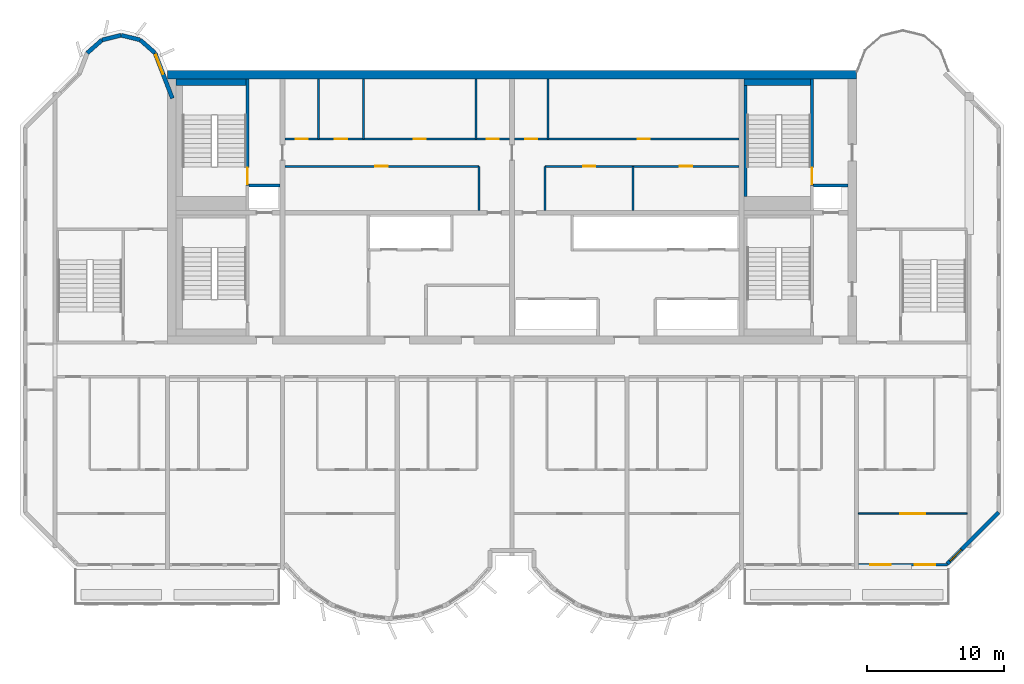
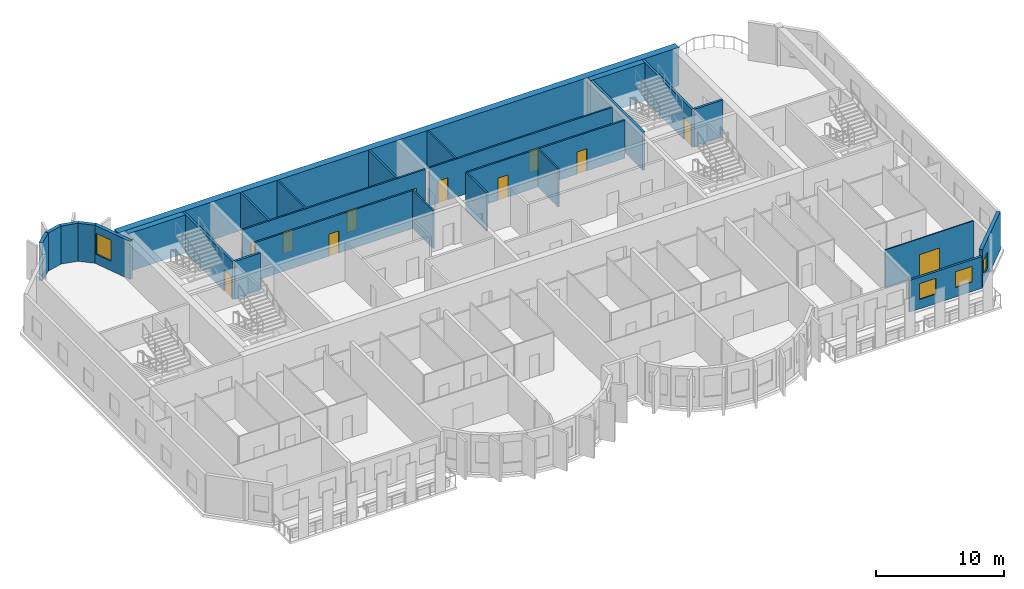
# One storey, part 7 of 12: 27 walls, 12 doors, 4 windows, 16 openings.
"""IFC4 building model written with IfcOpenShell, lengths in metres."""

import ifcopenshell
import ifcopenshell.guid

model = None  # the IFC model being written
_history = None  # IfcOwnerHistory: only IFC2X3 demands one
_inside = {}  # id of a spatial element -> (the spatial element, [elements in it])
_under = {}  # id of a project, library or spatial element -> (it, [spatial elements below it])
_declared = {}  # id of a project -> (the project, [libraries it declares])
_typed = {}  # id of a type object -> (the type object, [elements of that type])
_made_of = {}  # id of a material, layer set ... -> (it, [elements and type objects made of it])


def new_model(schema):
    """Start an empty IFC model of exactly this schema.

    Asked for "IFC4X3", IfcOpenShell would pick the latest addendum, in which some entities
    have other attributes; the version numbers below select the first issue.
    IFC2X3 requires an IfcOwnerHistory on every rooted entity: one is made here for all.
    """
    global model, _history
    if schema == "IFC4X3":
        model = ifcopenshell.file(schema_version=(4, 3, 0, 0))
    else:
        model = ifcopenshell.file(schema=schema)
    _inside.clear()
    _under.clear()
    _declared.clear()
    _typed.clear()
    _made_of.clear()
    _history = None
    if model.schema == "IFC2X3":
        org = make("IfcOrganization", Name="unknown")
        user = make(
            "IfcPersonAndOrganization",
            ThePerson=make("IfcPerson", FamilyName="unknown"),
            TheOrganization=org,
        )
        app = make(
            "IfcApplication",
            ApplicationDeveloper=org,
            Version="unknown",
            ApplicationFullName="unknown",
            ApplicationIdentifier="unknown",
        )
        _history = make(
            "IfcOwnerHistory",
            OwningUser=user,
            OwningApplication=app,
            ChangeAction="ADDED",
            CreationDate=0,
        )
    return model


def make(cls, **values):
    """One entity of the class cls with the attributes given. An attribute that is None is left unset."""
    return model.create_entity(
        cls, **{name: value for name, value in values.items() if value is not None}
    )


def rooted(cls, **values):
    """An entity with a GlobalId (a new one), such as an element, a storey or a relation."""
    return make(cls, GlobalId=ifcopenshell.guid.new(), OwnerHistory=_history, **values)


def si_unit(unit_type, name, prefix=None):
    """IfcSIUnit, for example si_unit("LENGTHUNIT", "METRE", prefix="MILLI")."""
    return make("IfcSIUnit", UnitType=unit_type, Prefix=prefix, Name=name)


def assignment(units):
    """IfcUnitAssignment: the units of a project."""
    return None if units is None else make("IfcUnitAssignment", Units=units)


def point(xyz):
    """IfcCartesianPoint."""
    return None if xyz is None else make("IfcCartesianPoint", Coordinates=xyz)


def direction(xyz):
    """IfcDirection."""
    return None if xyz is None else make("IfcDirection", DirectionRatios=xyz)


def frame(location, z_axis=None, x_axis=None):
    """IfcAxis2Placement3D, a coordinate frame: its origin and axes. An axis left out is left unset."""
    return make(
        "IfcAxis2Placement3D",
        Location=point(location),
        Axis=direction(z_axis),
        RefDirection=direction(x_axis),
    )


def frame_2d(location, x_axis=None):
    """IfcAxis2Placement2D, a coordinate frame in the plane: its origin and x axis."""
    return make(
        "IfcAxis2Placement2D", Location=point(location), RefDirection=direction(x_axis)
    )


def origin():
    """The frame at (0, 0, 0) with its axes left unset."""
    return frame((0.0, 0.0, 0.0))


def place(relative_to, where):
    """IfcLocalPlacement: puts the frame where relative to a parent placement (None: the world)."""
    return make(
        "IfcLocalPlacement", PlacementRelTo=relative_to, RelativePlacement=where
    )


def context(
    kind, dimensions, precision=None, world=None, true_north=None, identifier=None
):
    """IfcGeometricRepresentationContext, for example the 3D "Model" context."""
    return make(
        "IfcGeometricRepresentationContext",
        ContextIdentifier=identifier,
        ContextType=kind,
        CoordinateSpaceDimension=dimensions,
        Precision=precision,
        WorldCoordinateSystem=world,
        TrueNorth=true_north,
    )


def subcontext(parent, identifier, kind, view, scale=None):
    """IfcGeometricRepresentationSubContext, for example "Body" below "Model"."""
    return make(
        "IfcGeometricRepresentationSubContext",
        ContextIdentifier=identifier,
        ContextType=kind,
        ParentContext=parent,
        TargetScale=scale,
        TargetView=view,
    )


def project(units=None, contexts=None):
    """IfcProject with its units and contexts."""
    return rooted(
        "IfcProject",
        Name="project",
        RepresentationContexts=contexts,
        UnitsInContext=assignment(units),
    )


def spatial(cls, under=None, at=None, **own):
    """A site, building, storey or space (cls), placed at a placement, below another one or the project."""
    s = rooted(cls, ObjectPlacement=at, **own)
    if under is not None:
        _under.setdefault(under.id(), (under, []))[1].append(s)
    return s


def profile(cls, at=None, kind="AREA", **sizes):
    """A parametric profile (cls). Its sizes go by their IFC names, for example OverallWidth=200.0."""
    return make(cls, ProfileType=kind, Position=at, **sizes)


def rectangle(**sizes):
    """IfcRectangleProfileDef."""
    return profile("IfcRectangleProfileDef", **sizes)


def extrude(swept, where, along, depth):
    """IfcExtrudedAreaSolid: the profile swept, set in the frame where, extruded along a direction by depth."""
    return make(
        "IfcExtrudedAreaSolid",
        SweptArea=swept,
        Position=where,
        ExtrudedDirection=direction(along),
        Depth=depth,
    )


def shape(context_of_items, identifier, shape_type, items):
    """IfcShapeRepresentation: the items that make up one representation, for example the "Body"."""
    return make(
        "IfcShapeRepresentation",
        ContextOfItems=context_of_items,
        RepresentationIdentifier=identifier,
        RepresentationType=shape_type,
        Items=items,
    )


def source(mapping_origin, context_of_items, identifier, shape_type, items):
    """IfcRepresentationMap: a shape defined once, which mapped items show again and again."""
    return make(
        "IfcRepresentationMap",
        MappingOrigin=mapping_origin,
        MappedRepresentation=shape(context_of_items, identifier, shape_type, items),
    )


def transform(
    local_origin,
    x_axis=None,
    y_axis=None,
    z_axis=None,
    scale=None,
    scale2=None,
    scale3=None,
    uniform=True,
):
    """IfcCartesianTransformationOperator3D, or its non-uniform kind. x_axis, y_axis, z_axis: its Axis1, 2, 3."""
    if uniform:
        return make(
            "IfcCartesianTransformationOperator3D",
            Axis1=direction(x_axis),
            Axis2=direction(y_axis),
            LocalOrigin=point(local_origin),
            Scale=scale,
            Axis3=direction(z_axis),
        )
    return make(
        "IfcCartesianTransformationOperator3DnonUniform",
        Axis1=direction(x_axis),
        Axis2=direction(y_axis),
        LocalOrigin=point(local_origin),
        Scale=scale,
        Axis3=direction(z_axis),
        Scale2=scale2,
        Scale3=scale3,
    )


def mapped(mapping_source, mapping_target):
    """IfcMappedItem: shows the shape of a source again, moved by a transform."""
    return make(
        "IfcMappedItem", MappingSource=mapping_source, MappingTarget=mapping_target
    )


def material(Name=None, Category=None):
    """IfcMaterial."""
    return make("IfcMaterial", Name=Name, Category=Category)


def layer(
    of_material, thickness, ventilated=None, Name=None, Category=None, Priority=None
):
    """IfcMaterialLayer: one layer of a wall or slab, of a material (None: an air gap)."""
    return make(
        "IfcMaterialLayer",
        Material=of_material,
        LayerThickness=thickness,
        IsVentilated=ventilated,
        Name=Name,
        Category=Category,
        Priority=Priority,
    )


def layer_set(layers, Name=None):
    """IfcMaterialLayerSet."""
    return make("IfcMaterialLayerSet", MaterialLayers=layers, LayerSetName=Name)


def made_of(thing, what):
    """Note that an element or type object is made of a material, layer set ...; save() writes the relation."""
    if what is not None:
        _made_of.setdefault(what.id(), (what, []))[1].append(thing)
    return thing


def type_object(cls, material=None, **own):
    """A type object (cls), such as IfcWallType, which elements share."""
    return made_of(rooted(cls, **own), material)


def element(
    cls,
    number,
    at=None,
    inside=None,
    cuts=None,
    type_object=None,
    material=None,
    context=None,
    identifier="Body",
    shape_type=None,
    held_by="IfcProductDefinitionShape",
    body=None,
    shapes=None,
    **own,
):
    """One element of the class cls, such as IfcWall. Its Tag is "e" and its number.

    at: its placement. inside: the storey or other place that contains it. cuts: it is an
    opening in that element (IfcRelVoidsElement). A single representation is given by context,
    identifier, shape_type and body (its items); several are given by shapes. held_by: the class
    of the entity that holds the representations. save() writes the other relations.
    """
    e = rooted(cls, Tag="e%d" % number, ObjectPlacement=at, **own)
    if body is not None:
        shapes = [shape(context, identifier, shape_type, body)]
    if shapes is not None:
        e.Representation = make(held_by, Representations=shapes)
    if inside is not None:
        _inside.setdefault(inside.id(), (inside, []))[1].append(e)
    if cuts is not None:
        rooted(
            "IfcRelVoidsElement", RelatingBuildingElement=cuts, RelatedOpeningElement=e
        )
    if type_object is not None:
        _typed.setdefault(type_object.id(), (type_object, []))[1].append(e)
    return made_of(e, material)


def fill(opening, filler):
    """IfcRelFillsElement: the door or window that sits in an opening."""
    return rooted(
        "IfcRelFillsElement",
        RelatingOpeningElement=opening,
        RelatedBuildingElement=filler,
    )


def aggregate(whole, parts):
    """IfcRelAggregates: a whole, such as a stair, and the parts it consists of."""
    return rooted("IfcRelAggregates", RelatingObject=whole, RelatedObjects=parts)


def save(model, path):
    """Write the relations noted so far, then the file.

    IfcRelAggregates (storeys below a building ...), IfcRelContainedInSpatialStructure (elements
    in a storey), IfcRelDefinesByType, IfcRelAssociatesMaterial and IfcRelDeclares: one each for
    every whole, place, type object, material and project.
    """
    for whole, parts in _under.values():
        aggregate(whole, parts)
    for where, things in _inside.values():
        rooted(
            "IfcRelContainedInSpatialStructure",
            RelatedElements=things,
            RelatingStructure=where,
        )
    for kind, things in _typed.values():
        rooted("IfcRelDefinesByType", RelatedObjects=things, RelatingType=kind)
    for what, things in _made_of.values():
        rooted("IfcRelAssociatesMaterial", RelatedObjects=things, RelatingMaterial=what)
    for by, libraries in _declared.values():
        rooted("IfcRelDeclares", RelatingContext=by, RelatedDefinitions=libraries)
    model.write(path)


model = new_model("IFC4")

# Units and contexts
model_context = context("Model", 3, precision=1e-05, world=origin(), true_north=direction((0.0, 1.0)))
body_context = subcontext(model_context, "Body", "Model", "MODEL_VIEW")
ifc_project = project(units=[si_unit("LENGTHUNIT", "METRE"), si_unit("AREAUNIT", "SQUARE_METRE"), si_unit("VOLUMEUNIT", "CUBIC_METRE"), si_unit("PLANEANGLEUNIT", "RADIAN"), si_unit("MASSUNIT", "GRAM", prefix="KILO")], contexts=[model_context])

# Site, building, storey
site_placement = place(None, origin())
site = spatial("IfcSite", under=ifc_project, at=site_placement, CompositionType="ELEMENT")
building_placement = place(site_placement, origin())
building = spatial("IfcBuilding", under=site, at=building_placement, Name="Vanashikhar Sky Hotel", CompositionType="ELEMENT")
storey_placement = place(building_placement, frame((0.0, 0.0, 253.0)))
storey = spatial("IfcBuildingStorey", under=building, at=storey_placement, Name="L61", CompositionType="ELEMENT", Elevation=253.0)

# Wall
ifc_material_1 = material(Name="Concrete M60", Category="concrete")
ifc_layer_1 = layer(ifc_material_1, 0.60009765625)
ifc_layer_set_1 = layer_set([ifc_layer_1], Name="RC core shell wall 600 Concrete M60")
wall_type_1 = type_object("IfcWallType", Name="RC core shell wall 600 Concrete M60", PredefinedType="SHEAR", material=ifc_layer_set_1)
shared_shape_1 = source(origin(), body_context, "Body", "SweptSolid", [
    extrude(rectangle(XDim=50.400146484375, YDim=0.60009765625, at=frame_2d((25.2001953125, 0.0))), origin(), (0.0, 0.0, 1.0), 3.6201171875),
])
wall_1_placement = place(storey_placement, frame((25.199951171875, 41.699951171875, 0.0), z_axis=(0.0, 0.0, 1.0), x_axis=(1.0, 0.0, 0.0)))
element("IfcWall", 1, at=wall_1_placement, inside=storey, type_object=wall_type_1, Name="KW-L61-KN", PredefinedType="SHEAR", context=body_context, shape_type="MappedRepresentation", body=[
    mapped(shared_shape_1, transform((0.0, 0.0, 0.0), scale=1.0)),
])

# Wall, openings, windows
ifc_material_2 = material(Name="Concrete M50", Category="concrete")
ifc_layer_2 = layer(ifc_material_2, 0.199951171875)
ifc_layer_set_2 = layer_set([ifc_layer_2], Name="Front window wall 200")
wall_type_2 = type_object("IfcWallType", Name="Front window wall 200", PredefinedType="SOLIDWALL", material=ifc_layer_set_2)
shared_shape_2 = source(origin(), body_context, "Body", "SweptSolid", [
    extrude(rectangle(XDim=6.5048828125, YDim=0.199951171875, at=frame_2d((3.25244140625, 0.0))), origin(), (0.0, 0.0, 1.0), 3.02001953125),
])
wall_2_placement = place(storey_placement, frame((75.75, 5.85009765625, 0.0), z_axis=(0.0, 0.0, 1.0), x_axis=(1.0, 0.0, 0.0)))
wall_2 = element("IfcWall", 2, at=wall_2_placement, inside=storey, type_object=wall_type_2, Name="Front window wall", PredefinedType="SOLIDWALL", context=body_context, shape_type="MappedRepresentation", body=[
    mapped(shared_shape_2, transform((0.0, 0.0, 0.0), scale=1.0)),
])
shared_shape_3 = source(origin(), body_context, "Body", "SweptSolid", [
    extrude(rectangle(XDim=1.5, YDim=1.5, at=frame_2d((0.75, 0.75))), frame((0.0, 0.10986328125, 0.0), z_axis=(0.0, -1.0, 0.0), x_axis=(1.0, 0.0, 0.0)), (0.0, 0.0, 1.0), 0.219970703125),
])
opening_1_placement = place(wall_2_placement, frame((0.876220703125, 0.0, 0.89990234375)))
opening_1 = element("IfcOpeningElement", 3, at=opening_1_placement, cuts=wall_2, Name="Opening WN-1", PredefinedType="OPENING", context=body_context, shape_type="MappedRepresentation", body=[
    mapped(shared_shape_3, transform((0.0, 0.0, 0.0), scale=1.0)),
])
opening_2_placement = place(wall_2_placement, frame((4.128662109375, 0.0, 0.89990234375)))
opening_2 = element("IfcOpeningElement", 4, at=opening_2_placement, cuts=wall_2, Name="Opening WN-1", PredefinedType="OPENING", context=body_context, shape_type="MappedRepresentation", body=[
    mapped(shared_shape_3, transform((0.0, 0.0, 0.0), scale=1.0)),
])
ifc_material_3 = material(Name="Glass", Category="glass")
window_type_1 = type_object("IfcWindowType", Name="Window 1500 x 1500", PartitioningType="SINGLE_PANEL", PredefinedType="WINDOW", material=ifc_material_3)
shared_shape_4 = source(origin(), body_context, "Body", "SweptSolid", [
    extrude(rectangle(XDim=1.5, YDim=1.5, at=frame_2d((0.75, 0.75))), frame((0.0, 0.030029296875, 0.0), z_axis=(0.0, -1.0, 0.0), x_axis=(1.0, 0.0, 0.0)), (0.0, 0.0, 1.0), 0.06005859375),
])
window_1_placement = place(opening_1_placement, origin())
window_1 = element("IfcWindow", 5, at=window_1_placement, inside=storey, type_object=window_type_1, Name="Window WN-1", OverallHeight=1.5, OverallWidth=1.5, PartitioningType="SINGLE_PANEL", PredefinedType="WINDOW", context=body_context, shape_type="MappedRepresentation", body=[
    mapped(shared_shape_4, transform((0.0, 0.0, 0.0), scale=1.0)),
])
fill(opening_1, window_1)
window_2_placement = place(opening_2_placement, origin())
window_2 = element("IfcWindow", 6, at=window_2_placement, inside=storey, type_object=window_type_1, Name="Window WN-1", OverallHeight=1.5, OverallWidth=1.5, PartitioningType="SINGLE_PANEL", PredefinedType="WINDOW", context=body_context, shape_type="MappedRepresentation", body=[
    mapped(shared_shape_4, transform((0.0, 0.0, 0.0), scale=1.0)),
])
fill(opening_2, window_2)

# Wall, opening, window
ifc_layer_3 = layer(ifc_material_2, 0.300048828125)
ifc_layer_set_3 = layer_set([ifc_layer_3], Name="Lobe wall 300")
wall_type_3 = type_object("IfcWallType", Name="Lobe wall 300", PredefinedType="SOLIDWALL", material=ifc_layer_set_3)
shared_shape_5 = source(origin(), body_context, "Body", "SweptSolid", [
    extrude(rectangle(XDim=5.32568359375, YDim=0.300048828125, at=frame_2d((2.662841796875, 0.0))), origin(), (0.0, 0.0, 1.0), 3.6201171875),
])
wall_3_placement = place(storey_placement, frame((82.234375, 5.89990234375, 0.0), z_axis=(0.0, 0.0, 1.0), x_axis=(0.707083859269, 0.707129702361, 0.0)))
wall_3 = element("IfcWall", 7, at=wall_3_placement, inside=storey, type_object=wall_type_3, Name="Corner wall", PredefinedType="SOLIDWALL", context=body_context, shape_type="MappedRepresentation", body=[
    mapped(shared_shape_5, transform((0.0, 0.0, 0.0), scale=1.0)),
])
shared_shape_6 = source(origin(), body_context, "Body", "SweptSolid", [
    extrude(rectangle(XDim=1.199951171875, YDim=1.5, at=frame_2d((0.60009765625, 0.75))), frame((0.0, 0.16015625, 0.0), z_axis=(0.0, -1.0, 0.0), x_axis=(1.0, 0.0, 0.0)), (0.0, 0.0, 1.0), 0.320068359375),
])
opening_3_placement = place(wall_3_placement, frame((0.29248046875, 0.0, 0.89990234375)))
opening_3 = element("IfcOpeningElement", 8, at=opening_3_placement, cuts=wall_3, Name="Opening WN-3", PredefinedType="OPENING", context=body_context, shape_type="MappedRepresentation", body=[
    mapped(shared_shape_6, transform((0.0, 0.0, 0.0), scale=1.0)),
])
window_type_2 = type_object("IfcWindowType", Name="Corridor end window 1200 x 1500", PartitioningType="SINGLE_PANEL", PredefinedType="WINDOW", material=ifc_material_3)
shared_shape_7 = source(origin(), body_context, "Body", "SweptSolid", [
    extrude(rectangle(XDim=1.199951171875, YDim=1.5, at=frame_2d((0.60009765625, 0.75))), frame((0.0, 0.030029296875, 0.0), z_axis=(0.0, -1.0, 0.0), x_axis=(1.0, 0.0, 0.0)), (0.0, 0.0, 1.0), 0.06005859375),
])
window_3_placement = place(opening_3_placement, origin())
window_3 = element("IfcWindow", 9, at=window_3_placement, inside=storey, type_object=window_type_2, Name="Window WN-3", OverallHeight=1.5, OverallWidth=1.199951171875, PartitioningType="SINGLE_PANEL", PredefinedType="WINDOW", context=body_context, shape_type="MappedRepresentation", body=[
    mapped(shared_shape_7, transform((0.0, 0.0, 0.0), scale=1.0)),
])
fill(opening_3, window_3)

# Walls
shared_shape_8 = source(origin(), body_context, "Body", "SweptSolid", [
    extrude(rectangle(XDim=1.43994140625, YDim=0.300048828125, at=frame_2d((0.719970703125, 0.0))), origin(), (0.0, 0.0, 1.0), 3.6201171875),
])
wall_4_placement = place(storey_placement, frame((20.40283203125, 44.2451171875, 0.0), z_axis=(0.0, 0.0, 1.0), x_axis=(-0.74957555648, -0.661918790432, 0.0)))
element("IfcWall", 10, at=wall_4_placement, inside=storey, type_object=wall_type_3, Name="Lobe wall", PredefinedType="SOLIDWALL", context=body_context, shape_type="MappedRepresentation", body=[
    mapped(shared_shape_8, transform((0.0, 0.0, 0.0), scale=1.0)),
])
shared_shape_9 = source(origin(), body_context, "Body", "SweptSolid", [
    extrude(rectangle(XDim=1.438720703125, YDim=0.300048828125, at=frame_2d((0.71923828125, 0.0))), origin(), (0.0, 0.0, 1.0), 3.6201171875),
])
wall_5_placement = place(storey_placement, frame((21.800048828125, 44.588134765625, 0.0), z_axis=(0.0, 0.0, 1.0), x_axis=(-0.971161932466, -0.238420848351, 0.0)))
element("IfcWall", 11, at=wall_5_placement, inside=storey, type_object=wall_type_3, Name="Lobe wall", PredefinedType="SOLIDWALL", context=body_context, shape_type="MappedRepresentation", body=[
    mapped(shared_shape_9, transform((0.0, 0.0, 0.0), scale=1.0)),
])

# Wall, opening, window
shared_shape_10 = source(origin(), body_context, "Body", "SweptSolid", [
    extrude(rectangle(XDim=3.55908203125, YDim=0.300048828125, at=frame_2d((1.779541015625, 0.0))), origin(), (0.0, 0.0, 1.0), 3.6201171875),
])
wall_6_placement = place(storey_placement, frame((25.550048828125, 39.968505859375, 0.0), z_axis=(0.0, 0.0, 1.0), x_axis=(-0.35779745313, 0.933799219604, 0.0)))
wall_6 = element("IfcWall", 12, at=wall_6_placement, inside=storey, type_object=wall_type_3, Name="Lobe wall", PredefinedType="SOLIDWALL", context=body_context, shape_type="MappedRepresentation", body=[
    mapped(shared_shape_10, transform((0.0, 0.0, 0.0), scale=1.0)),
])
shared_shape_11 = source(origin(), body_context, "Body", "SweptSolid", [
    extrude(rectangle(XDim=1.5, YDim=2.0, at=frame_2d((0.75, 1.0))), frame((0.0, 0.16015625, 0.0), z_axis=(0.0, -1.0, 0.0), x_axis=(1.0, 0.0, 0.0)), (0.0, 0.0, 1.0), 0.320068359375),
])
opening_4_placement = place(wall_6_placement, frame((1.9033203125, 0.0, 0.89990234375)))
opening_4 = element("IfcOpeningElement", 13, at=opening_4_placement, cuts=wall_6, Name="Opening WN-2", PredefinedType="OPENING", context=body_context, shape_type="MappedRepresentation", body=[
    mapped(shared_shape_11, transform((0.0, 0.0, 0.0), scale=1.0)),
])
window_type_3 = type_object("IfcWindowType", Name="Lobe window 1500 x 2000", PartitioningType="SINGLE_PANEL", PredefinedType="WINDOW", material=ifc_material_3)
shared_shape_12 = source(origin(), body_context, "Body", "SweptSolid", [
    extrude(rectangle(XDim=1.5, YDim=2.0, at=frame_2d((0.75, 1.0))), frame((0.0, 0.030029296875, 0.0), z_axis=(0.0, -1.0, 0.0), x_axis=(1.0, 0.0, 0.0)), (0.0, 0.0, 1.0), 0.06005859375),
])
window_4_placement = place(opening_4_placement, origin())
window_4 = element("IfcWindow", 14, at=window_4_placement, inside=storey, type_object=window_type_3, Name="Window WN-2", OverallHeight=2.0, OverallWidth=1.5, PartitioningType="SINGLE_PANEL", PredefinedType="WINDOW", context=body_context, shape_type="MappedRepresentation", body=[
    mapped(shared_shape_12, transform((0.0, 0.0, 0.0), scale=1.0)),
])
fill(opening_4, window_4)

# Walls
shared_shape_13 = source(origin(), body_context, "Body", "SweptSolid", [
    extrude(rectangle(XDim=1.440185546875, YDim=0.300048828125, at=frame_2d((0.72021484375, 0.0))), origin(), (0.0, 0.0, 1.0), 3.6201171875),
])
wall_7_placement = place(storey_placement, frame((24.276611328125, 43.2919921875, 0.0), z_axis=(0.0, 0.0, 1.0), x_axis=(-0.749649827867, 0.661834673902, 0.0)))
element("IfcWall", 15, at=wall_7_placement, inside=storey, type_object=wall_type_3, Name="Lobe wall", PredefinedType="SOLIDWALL", context=body_context, shape_type="MappedRepresentation", body=[
    mapped(shared_shape_13, transform((0.0, 0.0, 0.0), scale=1.0)),
])
shared_shape_14 = source(origin(), body_context, "Body", "SweptSolid", [
    extrude(rectangle(XDim=1.4384765625, YDim=0.300048828125, at=frame_2d((0.71923828125, 0.0))), origin(), (0.0, 0.0, 1.0), 3.6201171875),
])
wall_8_placement = place(storey_placement, frame((23.197021484375, 44.2451171875, 0.0), z_axis=(0.0, 0.0, 1.0), x_axis=(-0.971152283879, 0.238460146601, 0.0)))
element("IfcWall", 16, at=wall_8_placement, inside=storey, type_object=wall_type_3, Name="Lobe wall", PredefinedType="SOLIDWALL", context=body_context, shape_type="MappedRepresentation", body=[
    mapped(shared_shape_14, transform((0.0, 0.0, 0.0), scale=1.0)),
])
ifc_material_4 = material(Name="Gypsum board partition")
ifc_layer_4 = layer(ifc_material_4, 0.14990234375)
ifc_layer_set_4 = layer_set([ifc_layer_4], Name="Service partition 150")
wall_type_4 = type_object("IfcWallType", Name="Service partition 150", PredefinedType="PARTITIONING", material=ifc_layer_set_4)
shared_shape_15 = source(origin(), body_context, "Body", "SweptSolid", [
    extrude(rectangle(XDim=3.22509765625, YDim=0.14990234375, at=frame_2d((1.612548828125, 0.0))), origin(), (0.0, 0.0, 1.0), 3.6201171875),
])
for number, where, z_axis, x_axis, name in (
    (17, (48.0, 31.77490234375, 0.0), (0.0, 0.0, 1.0), (0.0, 1.0, 0.0), "Service partition 150"),
    (18, (52.800048828125, 31.77490234375, 0.0), (0.0, 0.0, 1.0), (0.0, 1.0, 0.0), "Service partition 150"),
    (19, (59.241943359375, 31.77490234375, 0.0), (0.0, 0.0, 1.0), (0.0, 1.0, 0.0), "Service partition 150"),
):
    element("IfcWall", number, at=place(storey_placement, frame(where, z_axis=z_axis, x_axis=x_axis)), inside=storey, type_object=wall_type_4, Name=name, PredefinedType="PARTITIONING", context=body_context, shape_type="MappedRepresentation", body=[
        mapped(shared_shape_15, transform((0.0, 0.0, 0.0), scale=1.0)),
    ])

# Wall, opening, door
shared_shape_16 = source(origin(), body_context, "Body", "SweptSolid", [
    extrude(rectangle(XDim=14.22509765625, YDim=0.14990234375, at=frame_2d((7.112548828125, 0.0))), origin(), (0.0, 0.0, 1.0), 3.6201171875),
])
wall_9_placement = place(storey_placement, frame((33.77490234375, 35.0, 0.0), z_axis=(0.0, 0.0, 1.0), x_axis=(1.0, 0.0, 0.0)))
wall_9 = element("IfcWall", 20, at=wall_9_placement, inside=storey, type_object=wall_type_4, Name="Service partition 150", PredefinedType="PARTITIONING", context=body_context, shape_type="MappedRepresentation", body=[
    mapped(shared_shape_16, transform((0.0, 0.0, 0.0), scale=1.0)),
])
shared_shape_17 = source(origin(), body_context, "Body", "SweptSolid", [
    extrude(rectangle(XDim=0.89990234375, YDim=2.10009765625, at=frame_2d((0.449951171875, 1.050048828125))), frame((0.0, 0.0849609375, 0.0), z_axis=(0.0, -1.0, 0.0), x_axis=(1.0, 0.0, 0.0)), (0.0, 0.0, 1.0), 0.169921875),
])
opening_5_placement = place(wall_9_placement, frame((6.625, 0.0, 0.0)))
opening_5 = element("IfcOpeningElement", 21, at=opening_5_placement, cuts=wall_9, Name="Opening DC-4-A", PredefinedType="OPENING", context=body_context, shape_type="MappedRepresentation", body=[
    mapped(shared_shape_17, transform((0.0, 0.0, 0.0), scale=1.0)),
])
ifc_material_5 = material(Name="Steel", Category="steel")
door_type_1 = type_object("IfcDoorType", Name="Service door 900 FD60", OperationType="NOTDEFINED", PredefinedType="DOOR", material=ifc_material_5)
shared_shape_18 = source(origin(), body_context, "Body", "SweptSolid", [
    extrude(rectangle(XDim=0.89990234375, YDim=2.10009765625, at=frame_2d((0.449951171875, 1.050048828125))), frame((0.0, 0.02490234375, 0.0), z_axis=(0.0, -1.0, 0.0), x_axis=(1.0, 0.0, 0.0)), (0.0, 0.0, 1.0), 0.050048828125),
])
door_1_placement = place(opening_5_placement, origin())
door_1 = element("IfcDoor", 22, at=door_1_placement, inside=storey, type_object=door_type_1, Name="Service door 900 FD60", OperationType="SINGLE_SWING_LEFT", OverallHeight=2.10009765625, OverallWidth=0.89990234375, PredefinedType="DOOR", context=body_context, shape_type="MappedRepresentation", body=[
    mapped(shared_shape_18, transform((0.0, 0.0, 0.0), scale=1.0)),
])
fill(opening_5, door_1)

# Wall, openings, doors
shared_shape_19 = source(origin(), body_context, "Body", "SweptSolid", [
    extrude(rectangle(XDim=16.4501953125, YDim=0.14990234375, at=frame_2d((8.22509765625, 0.0))), origin(), (0.0, 0.0, 1.0), 3.6201171875),
])
wall_10_placement = place(storey_placement, frame((33.77490234375, 37.0, 0.0), z_axis=(0.0, 0.0, 1.0), x_axis=(1.0, 0.0, 0.0)))
wall_10 = element("IfcWall", 23, at=wall_10_placement, inside=storey, type_object=wall_type_4, Name="Service partition 150", PredefinedType="PARTITIONING", context=body_context, shape_type="MappedRepresentation", body=[
    mapped(shared_shape_19, transform((0.0, 0.0, 0.0), scale=1.0)),
])
opening_6_placement = place(wall_10_placement, frame((0.783935546875, 0.0, 0.0)))
opening_6 = element("IfcOpeningElement", 24, at=opening_6_placement, cuts=wall_10, Name="Opening DC-4-A", PredefinedType="OPENING", context=body_context, shape_type="MappedRepresentation", body=[
    mapped(shared_shape_17, transform((0.0, 0.0, 0.0), scale=1.0)),
])
opening_7_placement = place(wall_10_placement, frame((3.6630859375, 0.0, 0.0)))
opening_7 = element("IfcOpeningElement", 25, at=opening_7_placement, cuts=wall_10, Name="Opening DC-4-A", PredefinedType="OPENING", context=body_context, shape_type="MappedRepresentation", body=[
    mapped(shared_shape_17, transform((0.0, 0.0, 0.0), scale=1.0)),
])
opening_8_placement = place(wall_10_placement, frame((9.419921875, 0.0, 0.0)))
opening_8 = element("IfcOpeningElement", 26, at=opening_8_placement, cuts=wall_10, Name="Opening DC-4-A", PredefinedType="OPENING", context=body_context, shape_type="MappedRepresentation", body=[
    mapped(shared_shape_17, transform((0.0, 0.0, 0.0), scale=1.0)),
])
opening_9_placement = place(wall_10_placement, frame((14.76611328125, 0.0, 0.0)))
opening_9 = element("IfcOpeningElement", 27, at=opening_9_placement, cuts=wall_10, Name="Opening DC-4-A", PredefinedType="OPENING", context=body_context, shape_type="MappedRepresentation", body=[
    mapped(shared_shape_17, transform((0.0, 0.0, 0.0), scale=1.0)),
])
door_2_placement = place(opening_6_placement, origin())
door_2 = element("IfcDoor", 28, at=door_2_placement, inside=storey, type_object=door_type_1, Name="Service door 900 FD60", OperationType="SINGLE_SWING_RIGHT", OverallHeight=2.10009765625, OverallWidth=0.89990234375, PredefinedType="DOOR", context=body_context, shape_type="MappedRepresentation", body=[
    mapped(shared_shape_18, transform((0.0, 0.0, 0.0), scale=1.0)),
])
fill(opening_6, door_2)
door_3_placement = place(opening_7_placement, origin())
door_3 = element("IfcDoor", 29, at=door_3_placement, inside=storey, type_object=door_type_1, Name="Service door 900 FD60", OperationType="SINGLE_SWING_RIGHT", OverallHeight=2.10009765625, OverallWidth=0.89990234375, PredefinedType="DOOR", context=body_context, shape_type="MappedRepresentation", body=[
    mapped(shared_shape_18, transform((0.0, 0.0, 0.0), scale=1.0)),
])
fill(opening_7, door_3)
door_4_placement = place(opening_8_placement, origin())
door_4 = element("IfcDoor", 30, at=door_4_placement, inside=storey, type_object=door_type_1, Name="Service door 900 FD60", OperationType="SINGLE_SWING_RIGHT", OverallHeight=2.10009765625, OverallWidth=0.89990234375, PredefinedType="DOOR", context=body_context, shape_type="MappedRepresentation", body=[
    mapped(shared_shape_18, transform((0.0, 0.0, 0.0), scale=1.0)),
])
fill(opening_8, door_4)
door_5_placement = place(opening_9_placement, origin())
door_5 = element("IfcDoor", 31, at=door_5_placement, inside=storey, type_object=door_type_1, Name="Service door 900 FD60", OperationType="SINGLE_SWING_LEFT", OverallHeight=2.10009765625, OverallWidth=0.89990234375, PredefinedType="DOOR", context=body_context, shape_type="MappedRepresentation", body=[
    mapped(shared_shape_18, transform((0.0, 0.0, 0.0), scale=1.0)),
])
fill(opening_9, door_5)

# Walls
shared_shape_20 = source(origin(), body_context, "Body", "SweptSolid", [
    extrude(rectangle(XDim=4.39990234375, YDim=0.14990234375, at=frame_2d((2.199951171875, 0.0))), origin(), (0.0, 0.0, 1.0), 3.6201171875),
])
for number, where, z_axis, x_axis, name in (
    (32, (36.241943359375, 37.0, 0.0), (0.0, 0.0, 1.0), (0.0, 1.0, 0.0), "Service partition 150"),
    (33, (39.531982421875, 37.0, 0.0), (0.0, 0.0, 1.0), (0.0, 1.0, 0.0), "Service partition 150"),
    (34, (47.758056640625, 37.0, 0.0), (0.0, 0.0, 1.0), (0.0, 1.0, 0.0), "Service partition 150"),
    (35, (53.0419921875, 37.0, 0.0), (0.0, 0.0, 1.0), (0.0, 1.0, 0.0), "Service partition 150"),
):
    element("IfcWall", number, at=place(storey_placement, frame(where, z_axis=z_axis, x_axis=x_axis)), inside=storey, type_object=wall_type_4, Name=name, PredefinedType="PARTITIONING", context=body_context, shape_type="MappedRepresentation", body=[
        mapped(shared_shape_20, transform((0.0, 0.0, 0.0), scale=1.0)),
    ])

# Wall, openings, doors
shared_shape_21 = source(origin(), body_context, "Body", "SweptSolid", [
    extrude(rectangle(XDim=14.224853515625, YDim=0.14990234375, at=frame_2d((7.1123046875, 0.0))), origin(), (0.0, 0.0, 1.0), 3.6201171875),
])
wall_11_placement = place(storey_placement, frame((67.02490234375, 35.0, 0.0), z_axis=(0.0, 0.0, 1.0), x_axis=(-1.0, 0.0, 0.0)))
wall_11 = element("IfcWall", 36, at=wall_11_placement, inside=storey, type_object=wall_type_4, Name="Service partition 150", PredefinedType="PARTITIONING", context=body_context, shape_type="MappedRepresentation", body=[
    mapped(shared_shape_21, transform((0.0, 0.0, 0.0), scale=1.0)),
])
opening_10_placement = place(wall_11_placement, frame((3.44091796875, 0.0, 0.0)))
opening_10 = element("IfcOpeningElement", 37, at=opening_10_placement, cuts=wall_11, Name="Opening DC-4-A", PredefinedType="OPENING", context=body_context, shape_type="MappedRepresentation", body=[
    mapped(shared_shape_17, transform((0.0, 0.0, 0.0), scale=1.0)),
])
opening_11_placement = place(wall_11_placement, frame((10.51611328125, 0.0, 0.0)))
opening_11 = element("IfcOpeningElement", 38, at=opening_11_placement, cuts=wall_11, Name="Opening DC-4-A", PredefinedType="OPENING", context=body_context, shape_type="MappedRepresentation", body=[
    mapped(shared_shape_17, transform((0.0, 0.0, 0.0), scale=1.0)),
])
door_6_placement = place(opening_10_placement, origin())
door_6 = element("IfcDoor", 39, at=door_6_placement, inside=storey, type_object=door_type_1, Name="Service door 900 FD60", OperationType="SINGLE_SWING_LEFT", OverallHeight=2.10009765625, OverallWidth=0.89990234375, PredefinedType="DOOR", context=body_context, shape_type="MappedRepresentation", body=[
    mapped(shared_shape_18, transform((0.0, 0.0, 0.0), scale=1.0)),
])
fill(opening_10, door_6)
door_7_placement = place(opening_11_placement, origin())
door_7 = element("IfcDoor", 40, at=door_7_placement, inside=storey, type_object=door_type_1, Name="Service door 900 FD60", OperationType="SINGLE_SWING_RIGHT", OverallHeight=2.10009765625, OverallWidth=0.89990234375, PredefinedType="DOOR", context=body_context, shape_type="MappedRepresentation", body=[
    mapped(shared_shape_18, transform((0.0, 0.0, 0.0), scale=1.0)),
])
fill(opening_11, door_7)

shared_shape_22 = source(origin(), body_context, "Body", "SweptSolid", [
    extrude(rectangle(XDim=16.449951171875, YDim=0.14990234375, at=frame_2d((8.22509765625, 0.0))), origin(), (0.0, 0.0, 1.0), 3.6201171875),
])
wall_12_placement = place(storey_placement, frame((67.02490234375, 37.0, 0.0), z_axis=(0.0, 0.0, 1.0), x_axis=(-1.0, 0.0, 0.0)))
wall_12 = element("IfcWall", 41, at=wall_12_placement, inside=storey, type_object=wall_type_4, Name="Service partition 150", PredefinedType="PARTITIONING", context=body_context, shape_type="MappedRepresentation", body=[
    mapped(shared_shape_22, transform((0.0, 0.0, 0.0), scale=1.0)),
])
opening_12_placement = place(wall_12_placement, frame((6.541015625, 0.0, 0.0)))
opening_12 = element("IfcOpeningElement", 42, at=opening_12_placement, cuts=wall_12, Name="Opening DC-4-A", PredefinedType="OPENING", context=body_context, shape_type="MappedRepresentation", body=[
    mapped(shared_shape_17, transform((0.0, 0.0, 0.0), scale=1.0)),
])
opening_13_placement = place(wall_12_placement, frame((14.76611328125, 0.0, 0.0)))
opening_13 = element("IfcOpeningElement", 43, at=opening_13_placement, cuts=wall_12, Name="Opening DC-4-A", PredefinedType="OPENING", context=body_context, shape_type="MappedRepresentation", body=[
    mapped(shared_shape_17, transform((0.0, 0.0, 0.0), scale=1.0)),
])
door_8_placement = place(opening_12_placement, origin())
door_8 = element("IfcDoor", 44, at=door_8_placement, inside=storey, type_object=door_type_1, Name="Service door 900 FD60", OperationType="SINGLE_SWING_RIGHT", OverallHeight=2.10009765625, OverallWidth=0.89990234375, PredefinedType="DOOR", context=body_context, shape_type="MappedRepresentation", body=[
    mapped(shared_shape_18, transform((0.0, 0.0, 0.0), scale=1.0)),
])
fill(opening_12, door_8)
door_9_placement = place(opening_13_placement, origin())
door_9 = element("IfcDoor", 45, at=door_9_placement, inside=storey, type_object=door_type_1, Name="Service door 900 FD60", OperationType="SINGLE_SWING_LEFT", OverallHeight=2.10009765625, OverallWidth=0.89990234375, PredefinedType="DOOR", context=body_context, shape_type="MappedRepresentation", body=[
    mapped(shared_shape_18, transform((0.0, 0.0, 0.0), scale=1.0)),
])
fill(opening_13, door_9)

# Wall
ifc_material_6 = material(Name="Concrete M40", Category="concrete")
ifc_layer_5 = layer(ifc_material_6, 0.199951171875)
ifc_layer_set_5 = layer_set([ifc_layer_5], Name="Shaft wall 200")
wall_type_5 = type_object("IfcWallType", Name="Shaft wall 200", PredefinedType="SOLIDWALL", material=ifc_layer_set_5)
shared_shape_23 = source(origin(), body_context, "Body", "SweptSolid", [
    extrude(rectangle(XDim=2.275146484375, YDim=0.199951171875, at=frame_2d((1.1376953125, 0.0))), origin(), (0.0, 0.0, 1.0), 3.6201171875),
])
wall_13_placement = place(storey_placement, frame((31.14990234375, 33.60009765625, 0.0), z_axis=(0.0, 0.0, 1.0), x_axis=(1.0, 0.0, 0.0)))
element("IfcWall", 46, at=wall_13_placement, inside=storey, type_object=wall_type_5, Name="Shaft wall 200", PredefinedType="SOLIDWALL", context=body_context, shape_type="MappedRepresentation", body=[
    mapped(shared_shape_23, transform((0.0, 0.0, 0.0), scale=1.0)),
])

# Wall, opening, door
ifc_layer_6 = layer(ifc_material_2, 0.199951171875)
ifc_layer_set_6 = layer_set([ifc_layer_6], Name="Stair wall 200")
wall_type_6 = type_object("IfcWallType", Name="Stair wall 200", PredefinedType="SOLIDWALL", material=ifc_layer_set_6)
shared_shape_24 = source(origin(), body_context, "Body", "SweptSolid", [
    extrude(rectangle(XDim=7.7998046875, YDim=0.199951171875, at=frame_2d((3.89990234375, 0.0))), origin(), (0.0, 0.0, 1.0), 3.6201171875),
])
wall_14_placement = place(storey_placement, frame((31.050048828125, 33.60009765625, 0.0), z_axis=(0.0, 0.0, 1.0), x_axis=(0.0, 1.0, 0.0)))
wall_14 = element("IfcWall", 47, at=wall_14_placement, inside=storey, type_object=wall_type_6, Name="Stair wall 200", PredefinedType="SOLIDWALL", context=body_context, shape_type="MappedRepresentation", body=[
    mapped(shared_shape_24, transform((0.0, 0.0, 0.0), scale=1.0)),
])
shared_shape_25 = source(origin(), body_context, "Body", "SweptSolid", [
    extrude(rectangle(XDim=1.199951171875, YDim=2.10009765625, at=frame_2d((0.60009765625, 1.050048828125))), frame((0.0, 0.10986328125, 0.0), z_axis=(0.0, -1.0, 0.0), x_axis=(1.0, 0.0, 0.0)), (0.0, 0.0, 1.0), 0.219970703125),
])
opening_14_placement = place(wall_14_placement, frame((0.10009765625, 0.0, 0.0)))
opening_14 = element("IfcOpeningElement", 48, at=opening_14_placement, cuts=wall_14, Name="Opening DC-1", PredefinedType="OPENING", context=body_context, shape_type="MappedRepresentation", body=[
    mapped(shared_shape_25, transform((0.0, 0.0, 0.0), scale=1.0)),
])
door_type_2 = type_object("IfcDoorType", Name="Stair door 1200 FD120", OperationType="NOTDEFINED", PredefinedType="DOOR", material=ifc_material_5)
shared_shape_26 = source(origin(), body_context, "Body", "SweptSolid", [
    extrude(rectangle(XDim=1.199951171875, YDim=2.10009765625, at=frame_2d((0.60009765625, 1.050048828125))), frame((0.0, 0.02490234375, 0.0), z_axis=(0.0, -1.0, 0.0), x_axis=(1.0, 0.0, 0.0)), (0.0, 0.0, 1.0), 0.050048828125),
])
door_10_placement = place(opening_14_placement, origin())
door_10 = element("IfcDoor", 49, at=door_10_placement, inside=storey, type_object=door_type_2, Name="Stair door 1200 FD120", OperationType="SINGLE_SWING_RIGHT", OverallHeight=2.10009765625, OverallWidth=1.199951171875, PredefinedType="DOOR", context=body_context, shape_type="MappedRepresentation", body=[
    mapped(shared_shape_26, transform((0.0, 0.0, 0.0), scale=1.0)),
])
fill(opening_14, door_10)

wall_15_placement = place(storey_placement, frame((72.35009765625, 33.60009765625, 0.0), z_axis=(0.0, 0.0, 1.0), x_axis=(0.0, 1.0, 0.0)))
wall_15 = element("IfcWall", 50, at=wall_15_placement, inside=storey, type_object=wall_type_6, Name="Stair wall 200", PredefinedType="SOLIDWALL", context=body_context, shape_type="MappedRepresentation", body=[
    mapped(shared_shape_24, transform((0.0, 0.0, 0.0), scale=1.0)),
])
opening_15_placement = place(wall_15_placement, frame((0.10009765625, 0.0, 0.0)))
opening_15 = element("IfcOpeningElement", 51, at=opening_15_placement, cuts=wall_15, Name="Opening DC-1", PredefinedType="OPENING", context=body_context, shape_type="MappedRepresentation", body=[
    mapped(shared_shape_25, transform((0.0, 0.0, 0.0), scale=1.0)),
])
door_11_placement = place(opening_15_placement, origin())
door_11 = element("IfcDoor", 52, at=door_11_placement, inside=storey, type_object=door_type_2, Name="Stair door 1200 FD120", OperationType="SINGLE_SWING_LEFT", OverallHeight=2.10009765625, OverallWidth=1.199951171875, PredefinedType="DOOR", context=body_context, shape_type="MappedRepresentation", body=[
    mapped(shared_shape_26, transform((0.0, 0.0, 0.0), scale=1.0)),
])
fill(opening_15, door_11)

# Walls
shared_shape_27 = source(origin(), body_context, "Body", "SweptSolid", [
    extrude(rectangle(XDim=2.550048828125, YDim=0.199951171875, at=frame_2d((1.27490234375, 0.0))), origin(), (0.0, 0.0, 1.0), 3.6201171875),
])
wall_16_placement = place(storey_placement, frame((72.449951171875, 33.60009765625, 0.0), z_axis=(0.0, 0.0, 1.0), x_axis=(1.0, 0.0, 0.0)))
element("IfcWall", 53, at=wall_16_placement, inside=storey, type_object=wall_type_5, Name="Shaft wall 200", PredefinedType="SOLIDWALL", context=body_context, shape_type="MappedRepresentation", body=[
    mapped(shared_shape_27, transform((0.0, 0.0, 0.0), scale=1.0)),
])
ifc_layer_7 = layer(ifc_material_2, 0.5)
ifc_layer_set_7 = layer_set([ifc_layer_7], Name="Stair infill wall 500")
wall_type_7 = type_object("IfcWallType", Name="Stair infill wall 500", PredefinedType="SOLIDWALL", material=ifc_layer_set_7)
shared_shape_28 = source(origin(), body_context, "Body", "SweptSolid", [
    extrude(rectangle(XDim=5.14990234375, YDim=0.5, at=frame_2d((2.574951171875, 0.0))), origin(), (0.0, 0.0, 1.0), 3.6201171875),
])
wall_17_placement = place(storey_placement, frame((25.800048828125, 41.14990234375, 0.0), z_axis=(0.0, 0.0, 1.0), x_axis=(1.0, 0.0, 0.0)))
element("IfcWall", 54, at=wall_17_placement, inside=storey, type_object=wall_type_7, Name="Stair infill wall 500", PredefinedType="SOLIDWALL", context=body_context, shape_type="MappedRepresentation", body=[
    mapped(shared_shape_28, transform((0.0, 0.0, 0.0), scale=1.0)),
])
shared_shape_29 = source(origin(), body_context, "Body", "SweptSolid", [
    extrude(rectangle(XDim=4.875, YDim=0.5, at=frame_2d((2.4375, 0.0))), origin(), (0.0, 0.0, 1.0), 3.6201171875),
])
wall_18_placement = place(storey_placement, frame((67.375, 41.14990234375, 0.0), z_axis=(0.0, 0.0, 1.0), x_axis=(1.0, 0.0, 0.0)))
element("IfcWall", 55, at=wall_18_placement, inside=storey, type_object=wall_type_7, Name="Stair infill wall 500", PredefinedType="SOLIDWALL", context=body_context, shape_type="MappedRepresentation", body=[
    mapped(shared_shape_29, transform((0.0, 0.0, 0.0), scale=1.0)),
])
ifc_layer_8 = layer(ifc_material_2, 0.22509765625)
ifc_layer_set_8 = layer_set([ifc_layer_8], Name="Stair infill wall 225")
wall_type_8 = type_object("IfcWallType", Name="Stair infill wall 225", PredefinedType="SOLIDWALL", material=ifc_layer_set_8)
shared_shape_30 = source(origin(), body_context, "Body", "SweptSolid", [
    extrude(rectangle(XDim=8.099853515625, YDim=0.22509765625, at=frame_2d((4.0498046875, 0.0))), origin(), (0.0, 0.0, 1.0), 3.6201171875),
])
wall_19_placement = place(storey_placement, frame((67.487060546875, 32.800048828125, 0.0), z_axis=(0.0, 0.0, 1.0), x_axis=(0.0, 1.0, 0.0)))
element("IfcWall", 56, at=wall_19_placement, inside=storey, type_object=wall_type_8, Name="Stair infill wall 225", PredefinedType="SOLIDWALL", context=body_context, shape_type="MappedRepresentation", body=[
    mapped(shared_shape_30, transform((0.0, 0.0, 0.0), scale=1.0)),
])

# Wall, opening, door
ifc_material_7 = material(Name="Gypsum plasterboard partition")
ifc_layer_9 = layer(ifc_material_7, 0.10009765625)
ifc_layer_set_9 = layer_set([ifc_layer_9], Name="Wet room partition 100")
wall_type_9 = type_object("IfcWallType", Name="Wet room partition 100", PredefinedType="PARTITIONING", material=ifc_layer_set_9)
shared_shape_31 = source(origin(), body_context, "Body", "SweptSolid", [
    extrude(rectangle(XDim=7.949951171875, YDim=0.10009765625, at=frame_2d((3.97509765625, 0.0))), origin(), (0.0, 0.0, 1.0), 3.6201171875),
])
wall_20_placement = place(storey_placement, frame((75.75, 9.58203125, 0.0), z_axis=(0.0, 0.0, 1.0), x_axis=(1.0, 0.0, 0.0)))
wall_20 = element("IfcWall", 57, at=wall_20_placement, inside=storey, type_object=wall_type_9, Name="W-L61-PW046", PredefinedType="PARTITIONING", context=body_context, shape_type="MappedRepresentation", body=[
    mapped(shared_shape_31, transform((0.0, 0.0, 0.0), scale=1.0)),
])
shared_shape_32 = source(origin(), body_context, "Body", "SweptSolid", [
    extrude(rectangle(XDim=1.800048828125, YDim=2.10009765625, at=frame_2d((0.89990234375, 1.050048828125))), frame((0.0, 0.06005859375, 0.0), z_axis=(0.0, -1.0, 0.0), x_axis=(1.0, 0.0, 0.0)), (0.0, 0.0, 1.0), 0.1201171875),
])
opening_16_placement = place(wall_20_placement, frame((3.074951171875, 0.0, 0.0)))
opening_16 = element("IfcOpeningElement", 58, at=opening_16_placement, cuts=wall_20, Name="Opening D-08", PredefinedType="OPENING", context=body_context, shape_type="MappedRepresentation", body=[
    mapped(shared_shape_32, transform((0.0, 0.0, 0.0), scale=1.0)),
])
ifc_material_8 = material(Name="Timber door", Category="wood")
door_type_3 = type_object("IfcDoorType", Name="Double leaf door 1800", OperationType="NOTDEFINED", PredefinedType="DOOR", material=ifc_material_8)
shared_shape_33 = source(origin(), body_context, "Body", "SweptSolid", [
    extrude(rectangle(XDim=1.800048828125, YDim=2.10009765625, at=frame_2d((0.89990234375, 1.050048828125))), frame((0.0, 0.02490234375, 0.0), z_axis=(0.0, -1.0, 0.0), x_axis=(1.0, 0.0, 0.0)), (0.0, 0.0, 1.0), 0.050048828125),
])
door_12_placement = place(opening_16_placement, origin())
door_12 = element("IfcDoor", 59, at=door_12_placement, inside=storey, type_object=door_type_3, Name="D-L61-029", OperationType="DOUBLE_DOOR_SINGLE_SWING", OverallHeight=2.10009765625, OverallWidth=1.800048828125, PredefinedType="DOOR", context=body_context, shape_type="MappedRepresentation", body=[
    mapped(shared_shape_33, transform((0.0, 0.0, 0.0), scale=1.0)),
])
fill(opening_16, door_12)

save(model, "model.ifc")
